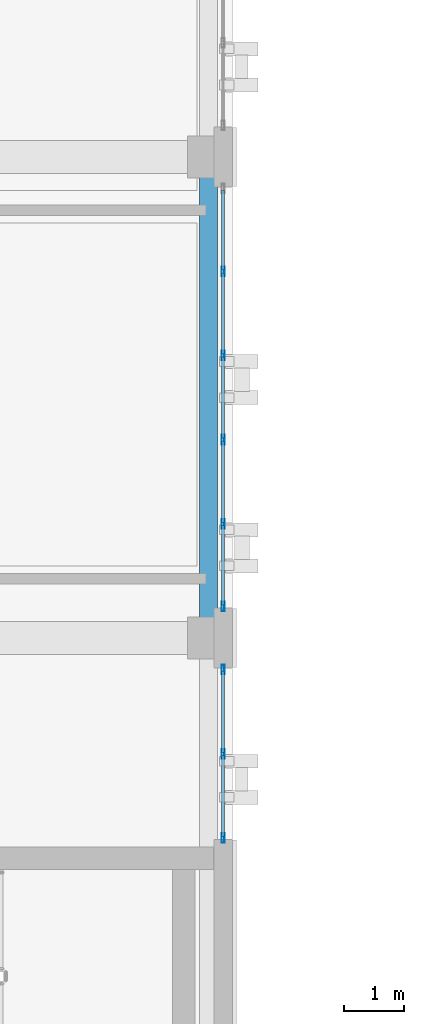
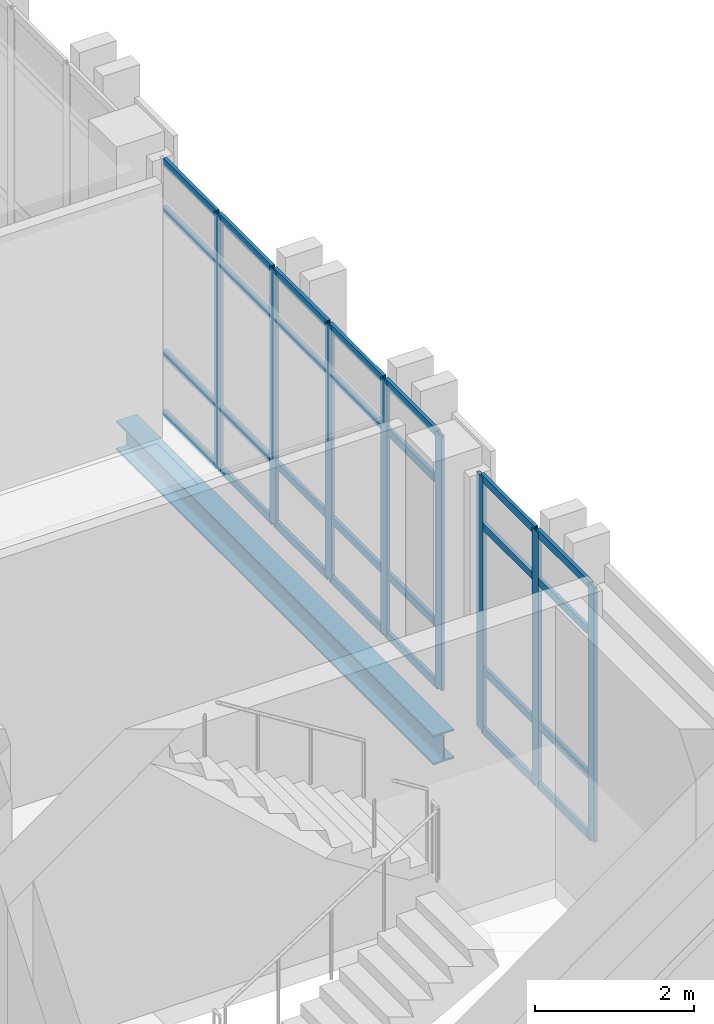
# One storey, part 66 of 193: 36 members, 1 beam, 2 elements without a shape of their own.
"""IFC4 building model written with IfcOpenShell, lengths in metres."""

from ifc_helpers import new_model, si_unit, direction, frame, origin, origin_2d, place, context, subcontext, project, spatial, hollow_rectangle, i_section, extrude, material, layer, layer_set, material_profile, profile_set, type_object, element, aggregate, save


model = new_model("IFC4")

# Units and contexts
model_context = context("Model", 3, precision=1e-05, world=origin(), true_north=direction((0.0, 1.0)))
body_context = subcontext(model_context, "Body", "Model", "MODEL_VIEW")
ifc_project = project(units=[si_unit("LENGTHUNIT", "METRE"), si_unit("AREAUNIT", "SQUARE_METRE"), si_unit("VOLUMEUNIT", "CUBIC_METRE"), si_unit("PLANEANGLEUNIT", "RADIAN"), si_unit("MASSUNIT", "GRAM", prefix="KILO")], contexts=[model_context])

# Site, building, storey
site_placement = place(None, origin())
site = spatial("IfcSite", under=ifc_project, at=site_placement, CompositionType="ELEMENT")
building_placement = place(site_placement, origin())
building = spatial("IfcBuilding", under=site, at=building_placement, Name="Qalavern Law Courts", CompositionType="ELEMENT")
storey_placement = place(building_placement, frame((0.0, 0.0, 10.199951171875)))
storey = spatial("IfcBuildingStorey", under=building, at=storey_placement, Name="L02", CompositionType="ELEMENT", Elevation=10.199951171875)

# Curtain wall, members
ifc_material_1 = material(Name="Anodised aluminium and insulated glazing", Category="aluminium")
ifc_layer = layer(ifc_material_1, 0.172119140625)
ifc_layer_set = layer_set([ifc_layer], Name="Anodised aluminium and insulated glazing")
curtain_wall_type = type_object("IfcCurtainWallType", Name="ENV-CW-COURT", PredefinedType="USERDEFINED", material=ifc_layer_set)
curtain_wall_1_placement = place(storey_placement, origin())
curtain_wall_1 = element("IfcCurtainWall", 1, at=curtain_wall_1_placement, inside=storey, type_object=curtain_wall_type, Name="V4 unitised curtain wall L02 east 1", ObjectType="UNITISED CURTAIN WALL", PredefinedType="USERDEFINED")
ifc_material_2 = material(Name="Anodised aluminium", Category="aluminium")
ifc_material_profile_1 = material_profile(ifc_material_2, hollow_rectangle(XDim=0.048095703125, YDim=0.159912109375, WallThickness=0.00390625, at=origin_2d()), Name="ALU MULLION 48x160")
ifc_profile_set_1 = profile_set([ifc_material_profile_1], Name="Anodised aluminium")
member_type_1 = type_object("IfcMemberType", Name="ENV-CWM-48x160", PredefinedType="MULLION", material=ifc_profile_set_1)
member_1_placement = place(storey_placement, frame((106.64501953125, 46.073974609375, 0.0), z_axis=(0.0, 0.0, 1.0), x_axis=(-1.0, 0.0, 0.0)))
member_1 = element("IfcMember", 2, at=member_1_placement, type_object=member_type_1, Name="CW-03 mullion 1", PredefinedType="MULLION", context=body_context, shape_type="SweptSolid", body=[
    extrude(hollow_rectangle(XDim=0.048095703125, YDim=0.159912109375, WallThickness=0.00390625, at=origin_2d()), origin(), (0.0, 0.0, 1.0), 3.9150390625),
])
member_2_placement = place(storey_placement, frame((106.64501953125, 47.47509765625, 0.0), z_axis=(0.0, 0.0, 1.0), x_axis=(-1.0, 0.0, 0.0)))
member_2 = element("IfcMember", 3, at=member_2_placement, type_object=member_type_1, Name="CW-03 mullion 2", PredefinedType="MULLION", context=body_context, shape_type="SweptSolid", body=[
    extrude(hollow_rectangle(XDim=0.048095703125, YDim=0.159912109375, WallThickness=0.00390625, at=origin_2d()), origin(), (0.0, 0.0, 1.0), 3.9150390625),
])
member_3_placement = place(storey_placement, frame((106.64501953125, 48.8759765625, 0.0), z_axis=(0.0, 0.0, 1.0), x_axis=(-1.0, 0.0, 0.0)))
member_3 = element("IfcMember", 4, at=member_3_placement, type_object=member_type_1, Name="CW-03 mullion 3", PredefinedType="MULLION", context=body_context, shape_type="SweptSolid", body=[
    extrude(hollow_rectangle(XDim=0.048095703125, YDim=0.159912109375, WallThickness=0.00390625, at=origin_2d()), origin(), (0.0, 0.0, 1.0), 3.9150390625),
])

curtain_wall_2_placement = place(storey_placement, origin())
curtain_wall_2 = element("IfcCurtainWall", 5, at=curtain_wall_2_placement, inside=storey, type_object=curtain_wall_type, Name="V4 unitised curtain wall L02 east 2", ObjectType="UNITISED CURTAIN WALL", PredefinedType="USERDEFINED")
member_4_placement = place(storey_placement, frame((106.64501953125, 49.924072265625, 0.0), z_axis=(0.0, 0.0, 1.0), x_axis=(-1.0, 0.0, 0.0)))
member_4 = element("IfcMember", 6, at=member_4_placement, type_object=member_type_1, Name="CW-03 mullion 1", PredefinedType="MULLION", context=body_context, shape_type="SweptSolid", body=[
    extrude(hollow_rectangle(XDim=0.048095703125, YDim=0.159912109375, WallThickness=0.00390625, at=origin_2d()), origin(), (0.0, 0.0, 1.0), 3.9150390625),
])
member_5_placement = place(storey_placement, frame((106.64501953125, 51.300048828125, 0.0), z_axis=(0.0, 0.0, 1.0), x_axis=(-1.0, 0.0, 0.0)))
member_5 = element("IfcMember", 7, at=member_5_placement, type_object=member_type_1, Name="CW-03 mullion 2", PredefinedType="MULLION", context=body_context, shape_type="SweptSolid", body=[
    extrude(hollow_rectangle(XDim=0.048095703125, YDim=0.159912109375, WallThickness=0.00390625, at=origin_2d()), origin(), (0.0, 0.0, 1.0), 3.9150390625),
])
member_6_placement = place(storey_placement, frame((106.64501953125, 52.699951171875, 0.0), z_axis=(0.0, 0.0, 1.0), x_axis=(-1.0, 0.0, 0.0)))
member_6 = element("IfcMember", 8, at=member_6_placement, type_object=member_type_1, Name="CW-03 mullion 3", PredefinedType="MULLION", context=body_context, shape_type="SweptSolid", body=[
    extrude(hollow_rectangle(XDim=0.048095703125, YDim=0.159912109375, WallThickness=0.00390625, at=origin_2d()), origin(), (0.0, 0.0, 1.0), 3.9150390625),
])
member_7_placement = place(storey_placement, frame((106.64501953125, 54.10009765625, 0.0), z_axis=(0.0, 0.0, 1.0), x_axis=(-1.0, 0.0, 0.0)))
member_7 = element("IfcMember", 9, at=member_7_placement, type_object=member_type_1, Name="CW-03 mullion 4", PredefinedType="MULLION", context=body_context, shape_type="SweptSolid", body=[
    extrude(hollow_rectangle(XDim=0.048095703125, YDim=0.159912109375, WallThickness=0.00390625, at=origin_2d()), origin(), (0.0, 0.0, 1.0), 3.9150390625),
])
member_8_placement = place(storey_placement, frame((106.64501953125, 55.5, 0.0), z_axis=(0.0, 0.0, 1.0), x_axis=(-1.0, 0.0, 0.0)))
member_8 = element("IfcMember", 10, at=member_8_placement, type_object=member_type_1, Name="CW-03 mullion 5", PredefinedType="MULLION", context=body_context, shape_type="SweptSolid", body=[
    extrude(hollow_rectangle(XDim=0.048095703125, YDim=0.159912109375, WallThickness=0.00390625, at=origin_2d()), origin(), (0.0, 0.0, 1.0), 3.9150390625),
])

# Member
ifc_material_profile_2 = material_profile(ifc_material_2, hollow_rectangle(XDim=0.048095703125, YDim=0.1201171875, WallThickness=0.00390625, at=origin_2d()), Name="ALU TRANSOM 48x120")
ifc_profile_set_2 = profile_set([ifc_material_profile_2], Name="Anodised aluminium")
member_type_2 = type_object("IfcMemberType", Name="ENV-CWT-48x120", PredefinedType="USERDEFINED", material=ifc_profile_set_2)
member_9_placement = place(storey_placement, frame((106.64501953125, 46.097900390625, 0.024169921875), z_axis=(0.0, 1.0, 0.0), x_axis=(-1.0, 0.0, 0.0)))
member_9 = element("IfcMember", 11, at=member_9_placement, type_object=member_type_2, Name="CW-03 transom 1.1", ObjectType="TRANSOM", PredefinedType="USERDEFINED", context=body_context, shape_type="SweptSolid", body=[
    extrude(hollow_rectangle(XDim=0.048095703125, YDim=0.1201171875, WallThickness=0.00390625, at=origin_2d()), origin(), (0.0, 0.0, 1.0), 1.35302734375),
])

member_10_placement = place(storey_placement, frame((106.64501953125, 46.097900390625, 0.949951171875), z_axis=(0.0, 1.0, 0.0), x_axis=(-1.0, 0.0, 0.0)))
member_10 = element("IfcMember", 12, at=member_10_placement, type_object=member_type_2, Name="CW-03 transom 1.2", ObjectType="TRANSOM", PredefinedType="USERDEFINED", context=body_context, shape_type="SweptSolid", body=[
    extrude(hollow_rectangle(XDim=0.048095703125, YDim=0.1201171875, WallThickness=0.00390625, at=origin_2d()), origin(), (0.0, 0.0, 1.0), 1.35302734375),
])

member_11_placement = place(storey_placement, frame((106.64501953125, 46.097900390625, 3.1650390625), z_axis=(0.0, 1.0, 0.0), x_axis=(-1.0, 0.0, 0.0)))
member_11 = element("IfcMember", 13, at=member_11_placement, type_object=member_type_2, Name="CW-03 transom 1.3", ObjectType="TRANSOM", PredefinedType="USERDEFINED", context=body_context, shape_type="SweptSolid", body=[
    extrude(hollow_rectangle(XDim=0.048095703125, YDim=0.1201171875, WallThickness=0.00390625, at=origin_2d()), origin(), (0.0, 0.0, 1.0), 1.35302734375),
])

member_12_placement = place(storey_placement, frame((106.64501953125, 46.097900390625, 3.89111328125), z_axis=(0.0, 1.0, 0.0), x_axis=(-1.0, 0.0, 0.0)))
member_12 = element("IfcMember", 14, at=member_12_placement, type_object=member_type_2, Name="CW-03 transom 1.4", ObjectType="TRANSOM", PredefinedType="USERDEFINED", context=body_context, shape_type="SweptSolid", body=[
    extrude(hollow_rectangle(XDim=0.048095703125, YDim=0.1201171875, WallThickness=0.00390625, at=origin_2d()), origin(), (0.0, 0.0, 1.0), 1.35302734375),
])

member_13_placement = place(storey_placement, frame((106.64501953125, 47.4990234375, 0.024169921875), z_axis=(0.0, 1.0, 0.0), x_axis=(-1.0, 0.0, 0.0)))
member_13 = element("IfcMember", 15, at=member_13_placement, type_object=member_type_2, Name="CW-03 transom 2.1", ObjectType="TRANSOM", PredefinedType="USERDEFINED", context=body_context, shape_type="SweptSolid", body=[
    extrude(hollow_rectangle(XDim=0.048095703125, YDim=0.1201171875, WallThickness=0.00390625, at=origin_2d()), origin(), (0.0, 0.0, 1.0), 1.35302734375),
])

member_14_placement = place(storey_placement, frame((106.64501953125, 47.4990234375, 0.949951171875), z_axis=(0.0, 1.0, 0.0), x_axis=(-1.0, 0.0, 0.0)))
member_14 = element("IfcMember", 16, at=member_14_placement, type_object=member_type_2, Name="CW-03 transom 2.2", ObjectType="TRANSOM", PredefinedType="USERDEFINED", context=body_context, shape_type="SweptSolid", body=[
    extrude(hollow_rectangle(XDim=0.048095703125, YDim=0.1201171875, WallThickness=0.00390625, at=origin_2d()), origin(), (0.0, 0.0, 1.0), 1.35302734375),
])

member_15_placement = place(storey_placement, frame((106.64501953125, 47.4990234375, 3.1650390625), z_axis=(0.0, 1.0, 0.0), x_axis=(-1.0, 0.0, 0.0)))
member_15 = element("IfcMember", 17, at=member_15_placement, type_object=member_type_2, Name="CW-03 transom 2.3", ObjectType="TRANSOM", PredefinedType="USERDEFINED", context=body_context, shape_type="SweptSolid", body=[
    extrude(hollow_rectangle(XDim=0.048095703125, YDim=0.1201171875, WallThickness=0.00390625, at=origin_2d()), origin(), (0.0, 0.0, 1.0), 1.35302734375),
])

member_16_placement = place(storey_placement, frame((106.64501953125, 47.4990234375, 3.89111328125), z_axis=(0.0, 1.0, 0.0), x_axis=(-1.0, 0.0, 0.0)))
member_16 = element("IfcMember", 18, at=member_16_placement, type_object=member_type_2, Name="CW-03 transom 2.4", ObjectType="TRANSOM", PredefinedType="USERDEFINED", context=body_context, shape_type="SweptSolid", body=[
    extrude(hollow_rectangle(XDim=0.048095703125, YDim=0.1201171875, WallThickness=0.00390625, at=origin_2d()), origin(), (0.0, 0.0, 1.0), 1.35302734375),
])

aggregate(curtain_wall_1, [member_1, member_2, member_3, member_9, member_10, member_11, member_12, member_13, member_14, member_15, member_16])

member_17_placement = place(storey_placement, frame((106.64501953125, 49.947998046875, 0.024169921875), z_axis=(0.0, 1.0, 0.0), x_axis=(-1.0, 0.0, 0.0)))
member_17 = element("IfcMember", 19, at=member_17_placement, type_object=member_type_2, Name="CW-03 transom 1.1", ObjectType="TRANSOM", PredefinedType="USERDEFINED", context=body_context, shape_type="SweptSolid", body=[
    extrude(hollow_rectangle(XDim=0.048095703125, YDim=0.1201171875, WallThickness=0.00390625, at=origin_2d()), origin(), (0.0, 0.0, 1.0), 1.327880859375),
])

member_18_placement = place(storey_placement, frame((106.64501953125, 49.947998046875, 0.949951171875), z_axis=(0.0, 1.0, 0.0), x_axis=(-1.0, 0.0, 0.0)))
member_18 = element("IfcMember", 20, at=member_18_placement, type_object=member_type_2, Name="CW-03 transom 1.2", ObjectType="TRANSOM", PredefinedType="USERDEFINED", context=body_context, shape_type="SweptSolid", body=[
    extrude(hollow_rectangle(XDim=0.048095703125, YDim=0.1201171875, WallThickness=0.00390625, at=origin_2d()), origin(), (0.0, 0.0, 1.0), 1.327880859375),
])

member_19_placement = place(storey_placement, frame((106.64501953125, 49.947998046875, 3.1650390625), z_axis=(0.0, 1.0, 0.0), x_axis=(-1.0, 0.0, 0.0)))
member_19 = element("IfcMember", 21, at=member_19_placement, type_object=member_type_2, Name="CW-03 transom 1.3", ObjectType="TRANSOM", PredefinedType="USERDEFINED", context=body_context, shape_type="SweptSolid", body=[
    extrude(hollow_rectangle(XDim=0.048095703125, YDim=0.1201171875, WallThickness=0.00390625, at=origin_2d()), origin(), (0.0, 0.0, 1.0), 1.327880859375),
])

member_20_placement = place(storey_placement, frame((106.64501953125, 49.947998046875, 3.89111328125), z_axis=(0.0, 1.0, 0.0), x_axis=(-1.0, 0.0, 0.0)))
member_20 = element("IfcMember", 22, at=member_20_placement, type_object=member_type_2, Name="CW-03 transom 1.4", ObjectType="TRANSOM", PredefinedType="USERDEFINED", context=body_context, shape_type="SweptSolid", body=[
    extrude(hollow_rectangle(XDim=0.048095703125, YDim=0.1201171875, WallThickness=0.00390625, at=origin_2d()), origin(), (0.0, 0.0, 1.0), 1.327880859375),
])

member_21_placement = place(storey_placement, frame((106.64501953125, 51.323974609375, 0.024169921875), z_axis=(0.0, 1.0, 0.0), x_axis=(-1.0, 0.0, 0.0)))
member_21 = element("IfcMember", 23, at=member_21_placement, type_object=member_type_2, Name="CW-03 transom 2.1", ObjectType="TRANSOM", PredefinedType="USERDEFINED", context=body_context, shape_type="SweptSolid", body=[
    extrude(hollow_rectangle(XDim=0.048095703125, YDim=0.1201171875, WallThickness=0.00390625, at=origin_2d()), origin(), (0.0, 0.0, 1.0), 1.35205078125),
])

member_22_placement = place(storey_placement, frame((106.64501953125, 51.323974609375, 0.949951171875), z_axis=(0.0, 1.0, 0.0), x_axis=(-1.0, 0.0, 0.0)))
member_22 = element("IfcMember", 24, at=member_22_placement, type_object=member_type_2, Name="CW-03 transom 2.2", ObjectType="TRANSOM", PredefinedType="USERDEFINED", context=body_context, shape_type="SweptSolid", body=[
    extrude(hollow_rectangle(XDim=0.048095703125, YDim=0.1201171875, WallThickness=0.00390625, at=origin_2d()), origin(), (0.0, 0.0, 1.0), 1.35205078125),
])

member_23_placement = place(storey_placement, frame((106.64501953125, 51.323974609375, 3.1650390625), z_axis=(0.0, 1.0, 0.0), x_axis=(-1.0, 0.0, 0.0)))
member_23 = element("IfcMember", 25, at=member_23_placement, type_object=member_type_2, Name="CW-03 transom 2.3", ObjectType="TRANSOM", PredefinedType="USERDEFINED", context=body_context, shape_type="SweptSolid", body=[
    extrude(hollow_rectangle(XDim=0.048095703125, YDim=0.1201171875, WallThickness=0.00390625, at=origin_2d()), origin(), (0.0, 0.0, 1.0), 1.35205078125),
])

member_24_placement = place(storey_placement, frame((106.64501953125, 51.323974609375, 3.89111328125), z_axis=(0.0, 1.0, 0.0), x_axis=(-1.0, 0.0, 0.0)))
member_24 = element("IfcMember", 26, at=member_24_placement, type_object=member_type_2, Name="CW-03 transom 2.4", ObjectType="TRANSOM", PredefinedType="USERDEFINED", context=body_context, shape_type="SweptSolid", body=[
    extrude(hollow_rectangle(XDim=0.048095703125, YDim=0.1201171875, WallThickness=0.00390625, at=origin_2d()), origin(), (0.0, 0.0, 1.0), 1.35205078125),
])

member_25_placement = place(storey_placement, frame((106.64501953125, 52.72412109375, 0.024169921875), z_axis=(0.0, 1.0, 0.0), x_axis=(-1.0, 0.0, 0.0)))
member_25 = element("IfcMember", 27, at=member_25_placement, type_object=member_type_2, Name="CW-03 transom 3.1", ObjectType="TRANSOM", PredefinedType="USERDEFINED", context=body_context, shape_type="SweptSolid", body=[
    extrude(hollow_rectangle(XDim=0.048095703125, YDim=0.1201171875, WallThickness=0.00390625, at=origin_2d()), origin(), (0.0, 0.0, 1.0), 1.351806640625),
])

member_26_placement = place(storey_placement, frame((106.64501953125, 52.72412109375, 0.949951171875), z_axis=(0.0, 1.0, 0.0), x_axis=(-1.0, 0.0, 0.0)))
member_26 = element("IfcMember", 28, at=member_26_placement, type_object=member_type_2, Name="CW-03 transom 3.2", ObjectType="TRANSOM", PredefinedType="USERDEFINED", context=body_context, shape_type="SweptSolid", body=[
    extrude(hollow_rectangle(XDim=0.048095703125, YDim=0.1201171875, WallThickness=0.00390625, at=origin_2d()), origin(), (0.0, 0.0, 1.0), 1.351806640625),
])

member_27_placement = place(storey_placement, frame((106.64501953125, 52.72412109375, 3.1650390625), z_axis=(0.0, 1.0, 0.0), x_axis=(-1.0, 0.0, 0.0)))
member_27 = element("IfcMember", 29, at=member_27_placement, type_object=member_type_2, Name="CW-03 transom 3.3", ObjectType="TRANSOM", PredefinedType="USERDEFINED", context=body_context, shape_type="SweptSolid", body=[
    extrude(hollow_rectangle(XDim=0.048095703125, YDim=0.1201171875, WallThickness=0.00390625, at=origin_2d()), origin(), (0.0, 0.0, 1.0), 1.351806640625),
])

member_28_placement = place(storey_placement, frame((106.64501953125, 52.72412109375, 3.89111328125), z_axis=(0.0, 1.0, 0.0), x_axis=(-1.0, 0.0, 0.0)))
member_28 = element("IfcMember", 30, at=member_28_placement, type_object=member_type_2, Name="CW-03 transom 3.4", ObjectType="TRANSOM", PredefinedType="USERDEFINED", context=body_context, shape_type="SweptSolid", body=[
    extrude(hollow_rectangle(XDim=0.048095703125, YDim=0.1201171875, WallThickness=0.00390625, at=origin_2d()), origin(), (0.0, 0.0, 1.0), 1.351806640625),
])

member_29_placement = place(storey_placement, frame((106.64501953125, 54.1240234375, 0.024169921875), z_axis=(0.0, 1.0, 0.0), x_axis=(-1.0, 0.0, 0.0)))
member_29 = element("IfcMember", 31, at=member_29_placement, type_object=member_type_2, Name="CW-03 transom 4.1", ObjectType="TRANSOM", PredefinedType="USERDEFINED", context=body_context, shape_type="SweptSolid", body=[
    extrude(hollow_rectangle(XDim=0.048095703125, YDim=0.1201171875, WallThickness=0.00390625, at=origin_2d()), origin(), (0.0, 0.0, 1.0), 1.35205078125),
])

member_30_placement = place(storey_placement, frame((106.64501953125, 54.1240234375, 0.949951171875), z_axis=(0.0, 1.0, 0.0), x_axis=(-1.0, 0.0, 0.0)))
member_30 = element("IfcMember", 32, at=member_30_placement, type_object=member_type_2, Name="CW-03 transom 4.2", ObjectType="TRANSOM", PredefinedType="USERDEFINED", context=body_context, shape_type="SweptSolid", body=[
    extrude(hollow_rectangle(XDim=0.048095703125, YDim=0.1201171875, WallThickness=0.00390625, at=origin_2d()), origin(), (0.0, 0.0, 1.0), 1.35205078125),
])

member_31_placement = place(storey_placement, frame((106.64501953125, 54.1240234375, 3.1650390625), z_axis=(0.0, 1.0, 0.0), x_axis=(-1.0, 0.0, 0.0)))
member_31 = element("IfcMember", 33, at=member_31_placement, type_object=member_type_2, Name="CW-03 transom 4.3", ObjectType="TRANSOM", PredefinedType="USERDEFINED", context=body_context, shape_type="SweptSolid", body=[
    extrude(hollow_rectangle(XDim=0.048095703125, YDim=0.1201171875, WallThickness=0.00390625, at=origin_2d()), origin(), (0.0, 0.0, 1.0), 1.35205078125),
])

member_32_placement = place(storey_placement, frame((106.64501953125, 54.1240234375, 3.89111328125), z_axis=(0.0, 1.0, 0.0), x_axis=(-1.0, 0.0, 0.0)))
member_32 = element("IfcMember", 34, at=member_32_placement, type_object=member_type_2, Name="CW-03 transom 4.4", ObjectType="TRANSOM", PredefinedType="USERDEFINED", context=body_context, shape_type="SweptSolid", body=[
    extrude(hollow_rectangle(XDim=0.048095703125, YDim=0.1201171875, WallThickness=0.00390625, at=origin_2d()), origin(), (0.0, 0.0, 1.0), 1.35205078125),
])

member_33_placement = place(storey_placement, frame((106.64501953125, 55.52392578125, 0.024169921875), z_axis=(0.0, 1.0, 0.0), x_axis=(-1.0, 0.0, 0.0)))
member_33 = element("IfcMember", 35, at=member_33_placement, type_object=member_type_2, Name="CW-03 transom 5.1", ObjectType="TRANSOM", PredefinedType="USERDEFINED", context=body_context, shape_type="SweptSolid", body=[
    extrude(hollow_rectangle(XDim=0.048095703125, YDim=0.1201171875, WallThickness=0.00390625, at=origin_2d()), origin(), (0.0, 0.0, 1.0), 1.328125),
])

member_34_placement = place(storey_placement, frame((106.64501953125, 55.52392578125, 0.949951171875), z_axis=(0.0, 1.0, 0.0), x_axis=(-1.0, 0.0, 0.0)))
member_34 = element("IfcMember", 36, at=member_34_placement, type_object=member_type_2, Name="CW-03 transom 5.2", ObjectType="TRANSOM", PredefinedType="USERDEFINED", context=body_context, shape_type="SweptSolid", body=[
    extrude(hollow_rectangle(XDim=0.048095703125, YDim=0.1201171875, WallThickness=0.00390625, at=origin_2d()), origin(), (0.0, 0.0, 1.0), 1.328125),
])

member_35_placement = place(storey_placement, frame((106.64501953125, 55.52392578125, 3.1650390625), z_axis=(0.0, 1.0, 0.0), x_axis=(-1.0, 0.0, 0.0)))
member_35 = element("IfcMember", 37, at=member_35_placement, type_object=member_type_2, Name="CW-03 transom 5.3", ObjectType="TRANSOM", PredefinedType="USERDEFINED", context=body_context, shape_type="SweptSolid", body=[
    extrude(hollow_rectangle(XDim=0.048095703125, YDim=0.1201171875, WallThickness=0.00390625, at=origin_2d()), origin(), (0.0, 0.0, 1.0), 1.328125),
])

member_36_placement = place(storey_placement, frame((106.64501953125, 55.52392578125, 3.89111328125), z_axis=(0.0, 1.0, 0.0), x_axis=(-1.0, 0.0, 0.0)))
member_36 = element("IfcMember", 38, at=member_36_placement, type_object=member_type_2, Name="CW-03 transom 5.4", ObjectType="TRANSOM", PredefinedType="USERDEFINED", context=body_context, shape_type="SweptSolid", body=[
    extrude(hollow_rectangle(XDim=0.048095703125, YDim=0.1201171875, WallThickness=0.00390625, at=origin_2d()), origin(), (0.0, 0.0, 1.0), 1.328125),
])

aggregate(curtain_wall_2, [member_4, member_5, member_6, member_7, member_8, member_17, member_18, member_19, member_20, member_21, member_22, member_23, member_24, member_25, member_26, member_27, member_28, member_29, member_30, member_31, member_32, member_33, member_34, member_35, member_36])

# Beam
ifc_material_3 = material(Name="Steel S355", Category="steel")
ifc_material_profile_3 = material_profile(ifc_material_3, i_section(OverallWidth=0.300048828125, OverallDepth=0.449951171875, WebThickness=0.013916015625, FlangeThickness=0.02587890625, FilletRadius=0.027099609375, at=origin_2d()), Name="HEB 450")
ifc_profile_set_3 = profile_set([ifc_material_profile_3], Name="Steel S355")
beam_type = type_object("IfcBeamType", Name="STR-SP-HEB450", PredefinedType="SPANDREL", material=ifc_profile_set_3)
beam_placement = place(storey_placement, frame((106.39990234375, 49.39990234375, -0.514892578125), z_axis=(0.0, 1.0, 0.0), x_axis=(-1.0, 0.0, 0.0)))
element("IfcBeam", 39, at=beam_placement, inside=storey, type_object=beam_type, Name="V4 Y-beam 3-2 L02", PredefinedType="SPANDREL", context=body_context, shape_type="SweptSolid", body=[
    extrude(i_section(OverallWidth=0.300048828125, OverallDepth=0.449951171875, WebThickness=0.013916015625, FlangeThickness=0.02587890625, FilletRadius=0.027099609375, at=origin_2d()), origin(), (0.0, 0.0, 1.0), 8.0),
])

save(model, "model.ifc")
